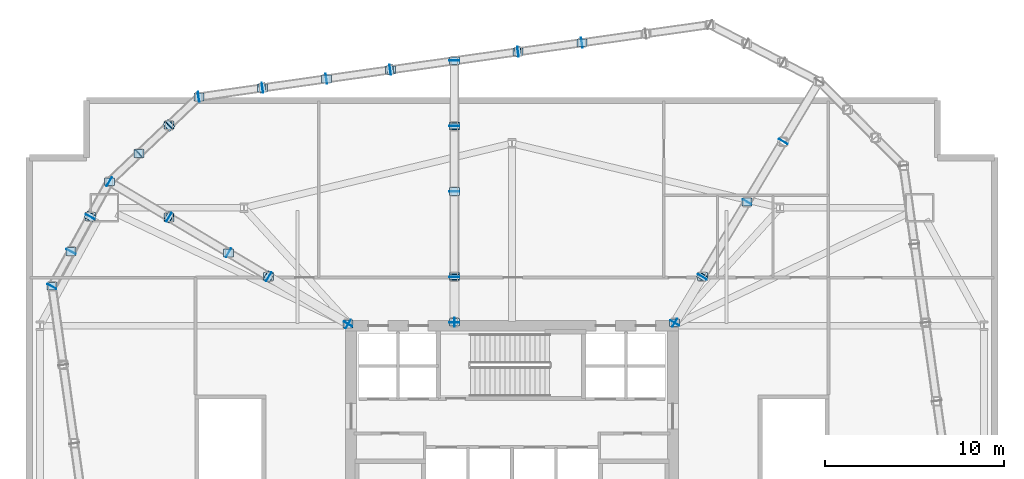
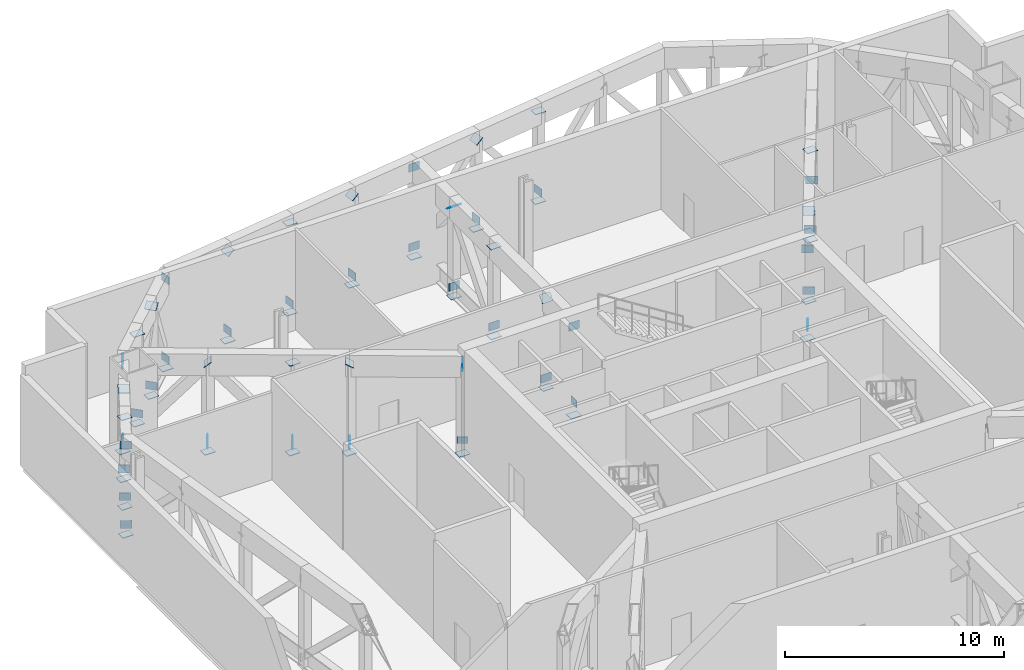
# One storey, part 8 of 15: 73 plates.
"""IFC4 building model written with IfcOpenShell, lengths in metres."""

from ifc_helpers import new_model, si_unit, direction, frame, origin, origin_2d, place, context, subcontext, project, spatial, rectangle, extrude, source, transform, mapped, material, layer, layer_set, type_object, element, save


model = new_model("IFC4")

# Units and contexts
model_context = context("Model", 3, precision=1e-05, world=origin(), true_north=direction((0.0, 1.0)))
body_context = subcontext(model_context, "Body", "Model", "MODEL_VIEW")
ifc_project = project(units=[si_unit("LENGTHUNIT", "METRE"), si_unit("AREAUNIT", "SQUARE_METRE"), si_unit("VOLUMEUNIT", "CUBIC_METRE"), si_unit("PLANEANGLEUNIT", "RADIAN"), si_unit("MASSUNIT", "GRAM", prefix="KILO")], contexts=[model_context])

# Site, building, storey
site_placement = place(None, origin())
site = spatial("IfcSite", under=ifc_project, at=site_placement, CompositionType="ELEMENT")
building_placement = place(site_placement, origin())
building = spatial("IfcBuilding", under=site, at=building_placement, Name="Haldenkirk Collegiate Tower", CompositionType="ELEMENT")
storey_placement = place(building_placement, frame((0.0, 0.0, 22.199951171875)))
storey = spatial("IfcBuildingStorey", under=building, at=storey_placement, Name="L04", CompositionType="ELEMENT", Elevation=22.199951171875)

# Plates
ifc_material = material(Name="Steel ASTM A572 Grade 50", Category="steel")
ifc_layer_1 = layer(ifc_material, 0.028076171875)
ifc_layer_set_1 = layer_set([ifc_layer_1], Name="Steel ASTM A572 Grade 50")
plate_type_1 = type_object("IfcPlateType", Name="PLT-CAP-INT-560X440", PredefinedType="USERDEFINED", material=ifc_layer_set_1)
shared_shape_1 = source(origin(), body_context, "Body", "SweptSolid", [
    extrude(rectangle(XDim=0.56005859375, YDim=0.43994140625, at=origin_2d()), origin(), (0.0, 0.0, 1.0), 0.028076171875),
])
for number, where, z_axis, x_axis, name in (
    (1, (45.104248046875, 34.174072265625, 4.989990234375), (-0.513703035643, -0.857968059529, 0.0), (0.857968059529, -0.513703035643, 0.0), "Podium Transfer Truss Radial 03 top chord 1 end cap plate 1"),
    (2, (46.648193359375, 36.75244140625, 0.550048828125), (-0.513699209717, -0.857970350266, 0.0), (0.857970350266, -0.513699209717, 0.0), "Podium Transfer Truss Radial 03 bottom chord 2 end plate 1"),
    (3, (49.14208984375, 40.918212890625, 0.550048828125), (0.513699209717, 0.857970350266, 0.0), (-0.857970350266, 0.513699209717, 0.0), "Podium Transfer Truss Radial 03 bottom chord 2 end plate 2"),
    (4, (46.647705078125, 36.751708984375, 4.988037109375), (-0.379300168661, -0.633503281696, 0.674392299878), (0.857971687822, -0.51369697575, 1.27466e-07), "Podium Transfer Truss Radial 03 web diagonal 2 end cap plate 1"),
    (5, (51.16259765625, 44.292724609375, 0.550048828125), (0.513699209717, 0.857970350266, 0.0), (-0.857970350266, 0.513699209717, 0.0), "Podium Transfer Truss Radial 03 bottom chord 3 end plate 2"),
    (6, (45.102783203125, 34.171630859375, 0.0029296875), (0.0, 0.0, -1.0), (1.0, 0.0, 0.0), "Podium Transfer Truss Radial 03 vertical post 1 end cap plate 1"),
    (7, (46.646484375, 36.75, 0.0029296875), (0.0, 0.0, -1.0), (1.0, 0.0, 0.0), "Podium Transfer Truss Radial 03 vertical post 2 end cap plate 1"),
    (8, (49.143798828125, 40.9208984375, 0.0029296875), (0.0, 0.0, -1.0), (1.0, 0.0, 0.0), "Podium Transfer Truss Radial 03 vertical post 3 end cap plate 1"),
    (9, (49.143798828125, 40.9208984375, 4.98681640625), (0.0, 0.0, 1.0), (1.0, 0.0, 0.0), "Podium Transfer Truss Radial 03 vertical post 3 end cap plate 2"),
    (10, (26.82568359375, 34.103759765625, 4.989990234375), (0.859102180059, -0.511804107269, 0.0), (0.511804107269, 0.859102180059, 0.0), "Podium Transfer Truss Radial 04 top chord 1 end cap plate 1"),
    (11, (22.381591796875, 36.75146484375, 0.550048828125), (0.859104023017, -0.511801013712, 0.0), (0.511801013712, 0.859104023017, 0.0), "Podium Transfer Truss Radial 04 bottom chord 2 end plate 1"),
    (12, (20.156494140625, 38.076904296875, 0.550048828125), (-0.859104023017, 0.511801013712, 0.0), (-0.511801013712, -0.859104023017, 0.0), "Podium Transfer Truss Radial 04 bottom chord 2 end plate 2"),
    (13, (22.3828125, 36.7509765625, 4.9873046875), (0.433590846383, -0.258307908484, 0.863293694143), (0.511802380829, 0.859103208571, 3.77037e-07), "Podium Transfer Truss Radial 04 web diagonal 2 end cap plate 1"),
    (14, (16.819580078125, 40.06494140625, 0.550048828125), (-0.859104023017, 0.511801013712, 0.0), (-0.511801013712, -0.859104023017, 0.0), "Podium Transfer Truss Radial 04 bottom chord 3 end plate 2"),
    (15, (16.81884765625, 40.065673828125, 4.98779296875), (-0.565664100837, 0.336991060073, 0.752636134168), (-0.511804833198, -0.859101747591, -1.6135e-08), "Podium Transfer Truss Radial 04 web diagonal 3 end cap plate 2"),
    (16, (13.482421875, 42.052978515625, 4.989990234375), (-0.859108148583, 0.511794088515, 0.0), (-0.511794088515, -0.859108148583, 0.0), "Podium Transfer Truss Radial 04 top chord 4 end cap plate 2"),
    (17, (13.482421875, 42.052978515625, 0.550048828125), (-0.859104023017, 0.511801013712, 0.0), (-0.511801013712, -0.859104023017, 0.0), "Podium Transfer Truss Radial 04 bottom chord 4 end plate 2"),
    (18, (26.828125, 34.102294921875, 0.0029296875), (0.0, 0.0, -1.0), (1.0, 0.0, 0.0), "Podium Transfer Truss Radial 04 vertical post 1 end cap plate 1"),
    (19, (22.384033203125, 36.75, 0.0029296875), (0.0, 0.0, -1.0), (1.0, 0.0, 0.0), "Podium Transfer Truss Radial 04 vertical post 2 end cap plate 1"),
    (20, (20.154052734375, 38.07861328125, 0.0029296875), (0.0, 0.0, -1.0), (1.0, 0.0, 0.0), "Podium Transfer Truss Radial 04 vertical post 3 end cap plate 1"),
    (21, (20.154052734375, 38.07861328125, 4.98681640625), (0.0, 0.0, 1.0), (1.0, 0.0, 0.0), "Podium Transfer Truss Radial 04 vertical post 3 end cap plate 2"),
    (22, (16.81689453125, 40.06640625, 0.0029296875), (0.0, 0.0, -1.0), (1.0, 0.0, 0.0), "Podium Transfer Truss Radial 04 vertical post 4 end cap plate 1"),
    (23, (13.47998046875, 42.054443359375, 0.0029296875), (0.0, 0.0, -1.0), (1.0, 0.0, 0.0), "Podium Transfer Truss Radial 04 vertical post 5 end cap plate 1"),
    (24, (32.772216796875, 34.203125, 4.989990234375), (0.0, -1.0, 0.0), (1.0, 0.0, 0.0), "Podium Transfer Truss Radial 07 top chord 1 end cap plate 1"),
    (25, (32.772216796875, 36.7529296875, 0.550048828125), (0.0, -1.0, 0.0), (1.0, 0.0, 0.0), "Podium Transfer Truss Radial 07 bottom chord 2 end plate 1"),
    (26, (32.772216796875, 41.50830078125, 0.550048828125), (0.0, 1.0, 0.0), (-1.0, 0.0, 0.0), "Podium Transfer Truss Radial 07 bottom chord 2 end plate 2"),
    (27, (32.772216796875, 36.752197265625, 4.988037109375), (0.0, -0.731359803387, 0.681991816659), (1.0, 0.0, 0.0), "Podium Transfer Truss Radial 07 web diagonal 2 end cap plate 1"),
    (28, (32.772216796875, 45.1640625, 0.550048828125), (0.0, 1.0, 0.0), (-1.0, 0.0, 0.0), "Podium Transfer Truss Radial 07 bottom chord 3 end plate 2"),
    (29, (32.772216796875, 45.165283203125, 4.98779296875), (0.0, 0.635638128649, 0.771987156245), (-1.0, 0.0, 0.0), "Podium Transfer Truss Radial 07 web diagonal 3 end cap plate 2"),
    (30, (32.772216796875, 48.81982421875, 4.989990234375), (0.0, 1.0, 0.0), (-1.0, 0.0, 0.0), "Podium Transfer Truss Radial 07 top chord 4 end cap plate 2"),
    (31, (32.772216796875, 48.81982421875, 0.550048828125), (0.0, 1.0, 0.0), (-1.0, 0.0, 0.0), "Podium Transfer Truss Radial 07 bottom chord 4 end plate 2"),
    (32, (32.772216796875, 34.199951171875, 0.0029296875), (0.0, 0.0, -1.0), (1.0, 0.0, 0.0), "Podium Transfer Truss Radial 07 vertical post 1 end cap plate 1"),
    (33, (32.772216796875, 36.75, 0.0029296875), (0.0, 0.0, -1.0), (1.0, 0.0, 0.0), "Podium Transfer Truss Radial 07 vertical post 2 end cap plate 1"),
    (34, (32.772216796875, 41.511474609375, 0.0029296875), (0.0, 0.0, -1.0), (1.0, 0.0, 0.0), "Podium Transfer Truss Radial 07 vertical post 3 end cap plate 1"),
    (35, (32.772216796875, 41.511474609375, 4.98681640625), (0.0, 0.0, 1.0), (1.0, 0.0, 0.0), "Podium Transfer Truss Radial 07 vertical post 3 end cap plate 2"),
    (36, (32.772216796875, 45.167236328125, 0.0029296875), (0.0, 0.0, -1.0), (1.0, 0.0, 0.0), "Podium Transfer Truss Radial 07 vertical post 4 end cap plate 1"),
    (37, (32.772216796875, 48.822998046875, 0.0029296875), (0.0, 0.0, -1.0), (1.0, 0.0, 0.0), "Podium Transfer Truss Radial 07 vertical post 5 end cap plate 1"),
    (38, (39.922119140625, 49.833984375, 0.550048828125), (-0.990146978894, -0.140031997015, 0.0), (0.140031997015, -0.990146978894, 0.0), "Podium Transfer Truss Belt 10 bottom chord 2 end plate 2"),
    (39, (36.3486328125, 49.328857421875, 0.550048828125), (-0.990146978894, -0.140031997015, 0.0), (0.140031997015, -0.990146978894, 0.0), "Podium Transfer Truss Belt 10 bottom chord 3 end plate 2"),
    (40, (36.347412109375, 49.32861328125, 4.987548828125), (-0.624532035882, -0.088313005074, 0.775990044583), (0.140013277138, -0.99014962618, -4.01989e-07), "Podium Transfer Truss Belt 10 web diagonal 3 end cap plate 2"),
    (41, (39.9189453125, 49.83349609375, 0.0029296875), (0.0, 0.0, -1.0), (1.0, 0.0, 0.0), "Podium Transfer Truss Belt 10 vertical post 3 end cap plate 1"),
    (42, (39.9189453125, 49.83349609375, 4.98681640625), (0.0, 0.0, 1.0), (1.0, 0.0, 0.0), "Podium Transfer Truss Belt 10 vertical post 3 end cap plate 2"),
    (43, (36.345703125, 49.328369140625, 0.0029296875), (0.0, 0.0, -1.0), (1.0, 0.0, 0.0), "Podium Transfer Truss Belt 10 vertical post 4 end cap plate 1"),
    (44, (29.20166015625, 48.31787109375, 0.550048828125), (-0.990145988694, -0.140038998401, 0.0), (0.140038998401, -0.990145988694, 0.0), "Podium Transfer Truss Belt 11 bottom chord 1 end plate 2"),
    (45, (29.20068359375, 48.317626953125, 4.987548828125), (-0.624530972839, -0.088329996158, 0.775988966251), (0.140040150498, -0.990145825749, -2.1335e-07), "Podium Transfer Truss Belt 11 web diagonal 1 end cap plate 2"),
    (46, (25.62841796875, 47.8125, 0.550048828125), (-0.990145988694, -0.140038998401, 0.0), (0.140038998401, -0.990145988694, 0.0), "Podium Transfer Truss Belt 11 bottom chord 2 end plate 2"),
    (47, (22.054931640625, 47.30712890625, 0.550048828125), (-0.990145988694, -0.140038998401, 0.0), (0.140038998401, -0.990145988694, 0.0), "Podium Transfer Truss Belt 11 bottom chord 3 end plate 2"),
    (48, (22.0537109375, 47.306884765625, 4.987548828125), (-0.624542099176, -0.088329014026, 0.775980123224), (0.140036208697, -0.990146383245, -1.88192e-07), "Podium Transfer Truss Belt 11 web diagonal 3 end cap plate 2"),
    (49, (18.4814453125, 46.8017578125, 4.989990234375), (-0.990145850035, -0.14003997879, 0.0), (0.14003997879, -0.990145850035, 0.0), "Podium Transfer Truss Belt 11 top chord 4 end cap plate 2"),
    (50, (18.4814453125, 46.8017578125, 0.550048828125), (-0.990145988694, -0.140038998401, 0.0), (0.140038998401, -0.990145988694, 0.0), "Podium Transfer Truss Belt 11 bottom chord 4 end plate 2"),
    (51, (29.19873046875, 48.3173828125, 0.0029296875), (0.0, 0.0, -1.0), (1.0, 0.0, 0.0), "Podium Transfer Truss Belt 11 vertical post 2 end cap plate 1"),
    (52, (25.625244140625, 47.81201171875, 0.0029296875), (0.0, 0.0, -1.0), (1.0, 0.0, 0.0), "Podium Transfer Truss Belt 11 vertical post 3 end cap plate 1"),
    (53, (25.625244140625, 47.81201171875, 4.98681640625), (0.0, 0.0, 1.0), (1.0, 0.0, 0.0), "Podium Transfer Truss Belt 11 vertical post 3 end cap plate 2"),
    (54, (22.0517578125, 47.306640625, 0.0029296875), (0.0, 0.0, -1.0), (1.0, 0.0, 0.0), "Podium Transfer Truss Belt 11 vertical post 4 end cap plate 1"),
    (55, (18.478515625, 46.80126953125, 0.0029296875), (0.0, 0.0, -1.0), (1.0, 0.0, 0.0), "Podium Transfer Truss Belt 11 vertical post 5 end cap plate 1"),
    (56, (16.814453125, 45.22119140625, 0.550048828125), (-0.725128051709, -0.688614049105, 0.0), (0.688614049105, -0.725128051709, 0.0), "Podium Transfer Truss Belt 12 bottom chord 1 end plate 2"),
    (57, (16.813232421875, 45.219970703125, 4.9873046875), (-0.333282921588, -0.316500925536, 0.88811579105), (0.68861418154, -0.725127925942, -3.52907e-07), "Podium Transfer Truss Belt 12 web diagonal 1 end cap plate 2"),
    (58, (15.1484375, 43.638916015625, 0.550048828125), (-0.725128051709, -0.688614049105, 0.0), (0.688614049105, -0.725128051709, 0.0), "Podium Transfer Truss Belt 12 bottom chord 2 end plate 2"),
    (59, (16.812255859375, 45.218994140625, 0.0029296875), (0.0, 0.0, -1.0), (1.0, 0.0, 0.0), "Podium Transfer Truss Belt 12 vertical post 2 end cap plate 1"),
    (60, (15.14599609375, 43.63671875, 0.0029296875), (0.0, 0.0, -1.0), (1.0, 0.0, 0.0), "Podium Transfer Truss Belt 12 vertical post 3 end cap plate 1"),
    (61, (15.14599609375, 43.63671875, 4.98681640625), (0.0, 0.0, 1.0), (1.0, 0.0, 0.0), "Podium Transfer Truss Belt 12 vertical post 3 end cap plate 2"),
    (62, (12.41015625, 40.10986328125, 0.550048828125), (-0.482020090138, -0.876160163842, 0.0), (0.876160163842, -0.482020090138, 0.0), "Podium Transfer Truss Belt 13 bottom chord 1 end plate 2"),
    (63, (12.4091796875, 40.108642578125, 4.9873046875), (-0.215743960458, -0.392173928121, 0.894233836101), (0.876170138997, -0.482001958014, -2.07344e-07), "Podium Transfer Truss Belt 13 web diagonal 1 end cap plate 2"),
    (64, (11.3388671875, 38.162841796875, 0.550048828125), (-0.482020090138, -0.876160163842, 0.0), (0.876160163842, -0.482020090138, 0.0), "Podium Transfer Truss Belt 13 bottom chord 2 end plate 2"),
    (65, (10.267822265625, 36.215576171875, 4.989990234375), (-0.482002048946, -0.876170088973, 0.0), (0.876170088973, -0.482002048946, 0.0), "Podium Transfer Truss Belt 13 top chord 3 end cap plate 2"),
    (66, (10.267822265625, 36.215576171875, 0.550048828125), (-0.482020090138, -0.876160163842, 0.0), (0.876160163842, -0.482020090138, 0.0), "Podium Transfer Truss Belt 13 bottom chord 3 end plate 2"),
    (67, (12.40869140625, 40.107421875, 0.0029296875), (0.0, 0.0, -1.0), (1.0, 0.0, 0.0), "Podium Transfer Truss Belt 13 vertical post 2 end cap plate 1"),
    (68, (11.33740234375, 38.16015625, 0.0029296875), (0.0, 0.0, -1.0), (1.0, 0.0, 0.0), "Podium Transfer Truss Belt 13 vertical post 3 end cap plate 1"),
    (69, (11.33740234375, 38.16015625, 4.98681640625), (0.0, 0.0, 1.0), (1.0, 0.0, 0.0), "Podium Transfer Truss Belt 13 vertical post 3 end cap plate 2"),
    (70, (10.26611328125, 36.212890625, 0.0029296875), (0.0, 0.0, -1.0), (1.0, 0.0, 0.0), "Podium Transfer Truss Belt 13 vertical post 4 end cap plate 1"),
):
    element("IfcPlate", number, at=place(storey_placement, frame(where, z_axis=z_axis, x_axis=x_axis)), inside=storey, type_object=plate_type_1, Name=name, ObjectType="END CAP PLATE", PredefinedType="USERDEFINED", context=body_context, shape_type="MappedRepresentation", body=[
        mapped(shared_shape_1, transform((0.0, 0.0, 0.0), x_axis=(1.0, 0.0, 0.0), y_axis=(0.0, 1.0, 0.0), z_axis=(0.0, 0.0, 1.0), scale=1.0)),
    ])
ifc_layer_2 = layer(ifc_material, 0.031982421875)
ifc_layer_set_2 = layer_set([ifc_layer_2], Name="Steel ASTM A572 Grade 50")
plate_type_2 = type_object("IfcPlateType", Name="PLT-GUSSET-INT-520X380", PredefinedType="USERDEFINED", material=ifc_layer_set_2)
shared_shape_2 = source(origin(), body_context, "Body", "SweptSolid", [
    extrude(rectangle(XDim=0.52001953125, YDim=0.031982421875, at=origin_2d()), origin(), (0.0, 0.0, 1.0), 0.3798828125),
])
for number, where, z_axis, x_axis, name in (
    (71, (45.102783203125, 34.171630859375, 0.550048828125), (0.0, 0.0, 1.0), (0.513699152921, 0.857970384272, 0.0), "Podium Transfer Truss Radial 03 bottom node gusset plate 1"),
    (72, (26.828125, 34.102294921875, 0.550048828125), (0.0, 0.0, 1.0), (-0.85910377168, 0.511801435604, 0.0), "Podium Transfer Truss Radial 04 bottom node gusset plate 1"),
    (73, (32.772216796875, 34.199951171875, 0.550048828125), (0.0, 0.0, 1.0), (0.0, 1.0, 0.0), "Podium Transfer Truss Radial 07 bottom node gusset plate 1"),
):
    element("IfcPlate", number, at=place(storey_placement, frame(where, z_axis=z_axis, x_axis=x_axis)), inside=storey, type_object=plate_type_2, Name=name, ObjectType="GUSSET PLATE", PredefinedType="USERDEFINED", context=body_context, shape_type="MappedRepresentation", body=[
        mapped(shared_shape_2, transform((0.0, 0.0, 0.0), x_axis=(1.0, 0.0, 0.0), y_axis=(0.0, 1.0, 0.0), z_axis=(0.0, 0.0, 1.0), scale=1.0)),
    ])

save(model, "model.ifc")
